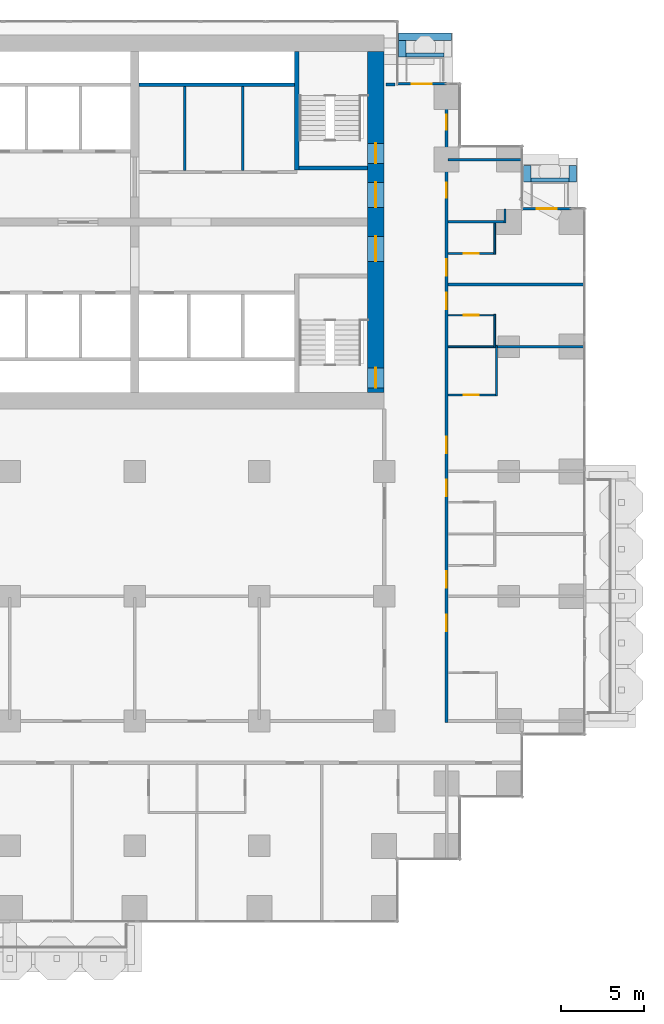
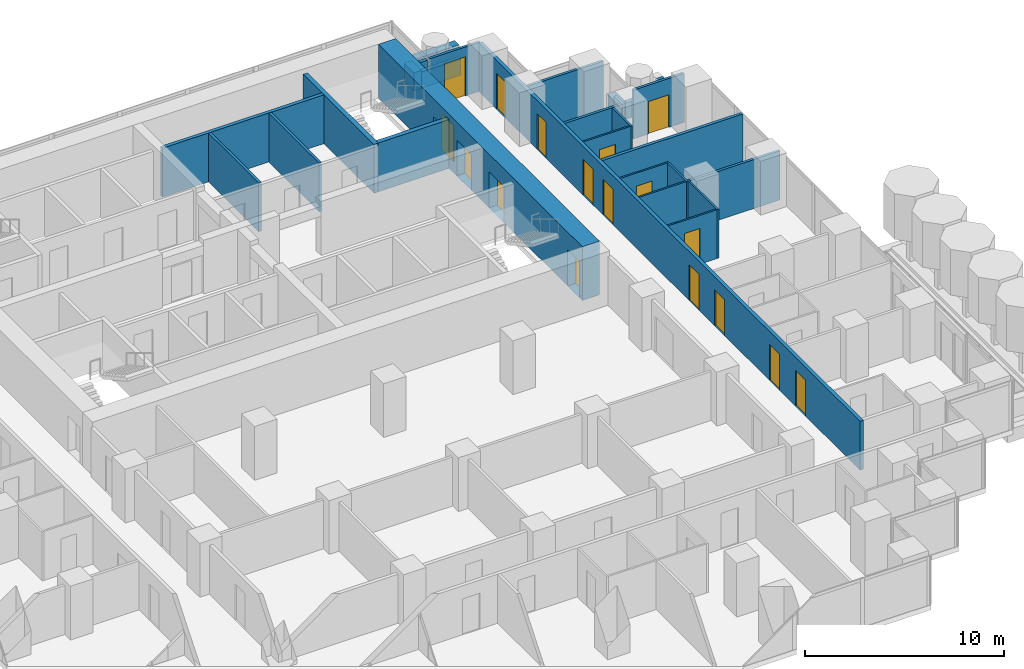
# One storey, part 14 of 18: 28 walls, 17 doors, 17 openings.
"""IFC4 building model written with IfcOpenShell, lengths in metres."""

from ifc_helpers import new_model, si_unit, direction, frame, frame_2d, origin, place, context, subcontext, project, spatial, rectangle, extrude, material, layer, layer_set, type_object, element, fill, save


model = new_model("IFC4")

# Units and contexts
model_context = context("Model", 3, precision=1e-05, world=origin(), true_north=direction((0.0, 1.0)))
body_context = subcontext(model_context, "Body", "Model", "MODEL_VIEW")
ifc_project = project(units=[si_unit("LENGTHUNIT", "METRE"), si_unit("AREAUNIT", "SQUARE_METRE"), si_unit("VOLUMEUNIT", "CUBIC_METRE"), si_unit("PLANEANGLEUNIT", "RADIAN"), si_unit("MASSUNIT", "GRAM", prefix="KILO")], contexts=[model_context])

# Site, building, storey
site_placement = place(None, origin())
site = spatial("IfcSite", under=ifc_project, at=site_placement, CompositionType="ELEMENT")
building_placement = place(site_placement, origin())
building = spatial("IfcBuilding", under=site, at=building_placement, Name="Pilkhan Gate Tower", CompositionType="ELEMENT")
storey_placement = place(building_placement, frame((0.0, 0.0, 56.0)))
storey = spatial("IfcBuildingStorey", under=building, at=storey_placement, Name="L11", CompositionType="ELEMENT", Elevation=56.0)

# Walls
ifc_material_1 = material(Name="Dense blockwork", Category="masonry")
ifc_layer_1 = layer(ifc_material_1, 0.175048828125)
ifc_layer_set_1 = layer_set([ifc_layer_1], Name="Acoustic party wall PW175")
wall_type_1 = type_object("IfcWallType", Name="Acoustic party wall PW175", PredefinedType="PARTITIONING", material=ifc_layer_set_1)
wall_1_placement = place(storey_placement, frame((93.85009765625, 78.75, 0.0), z_axis=(0.0, 0.0, 1.0), x_axis=(1.0, 0.0, 0.0)))
element("IfcWall", 1, at=wall_1_placement, inside=storey, type_object=wall_type_1, Name="Partition L11", PredefinedType="PARTITIONING", context=body_context, shape_type="SweptSolid", body=[
    extrude(rectangle(XDim=8.164794921875, YDim=0.175048828125, at=frame_2d((4.08251953125, 0.0))), origin(), (0.0, 0.0, 1.0), 3.0),
])
ifc_material_2 = material(Name="Concrete C40/50", Category="concrete")
ifc_layer_2 = layer(ifc_material_2, 0.25)
ifc_layer_set_2 = layer_set([ifc_layer_2], Name="Balcony planter BP250")
wall_type_2 = type_object("IfcWallType", Name="Balcony planter BP250", PredefinedType="USERDEFINED", material=ifc_layer_set_2)
wall_2_placement = place(storey_placement, frame((91.300048828125, 92.52490234375, 0.0), z_axis=(0.0, 0.0, 1.0), x_axis=(1.0, 0.0, 0.0)))
element("IfcWall", 2, at=wall_2_placement, inside=storey, type_object=wall_type_2, Name="Balcony planter L11 N", ObjectType="BALCONY PLANTER", PredefinedType="USERDEFINED", context=body_context, shape_type="SweptSolid", body=[
    extrude(rectangle(XDim=2.300048828125, YDim=0.25, at=frame_2d((1.14990234375, 0.0))), origin(), (0.0, 0.0, 1.0), 1.0),
])
wall_3_placement = place(storey_placement, frame((98.820068359375, 85.02490234375, 0.0), z_axis=(0.0, 0.0, 1.0), x_axis=(1.0, 0.0, 0.0)))
element("IfcWall", 3, at=wall_3_placement, inside=storey, type_object=wall_type_2, Name="Balcony planter L11 N", ObjectType="BALCONY PLANTER", PredefinedType="USERDEFINED", context=body_context, shape_type="SweptSolid", body=[
    extrude(rectangle(XDim=2.280029296875, YDim=0.25, at=frame_2d((1.14013671875, 0.0))), origin(), (0.0, 0.0, 1.0), 1.0),
])
ifc_material_3 = material(Name="Board-marked Concrete C40/50", Category="concrete")
ifc_layer_3 = layer(ifc_material_3, 0.449951171875)
ifc_layer_set_3 = layer_set([ifc_layer_3], Name="Balcony planter lip BL450")
wall_type_3 = type_object("IfcWallType", Name="Balcony planter lip BL450", PredefinedType="USERDEFINED", material=ifc_layer_set_3)
wall_4_placement = place(storey_placement, frame((90.85009765625, 93.625, 0.0), z_axis=(0.0, 0.0, 1.0), x_axis=(1.0, 0.0, 0.0)))
element("IfcWall", 4, at=wall_4_placement, inside=storey, type_object=wall_type_3, Name="Balcony planter L11 N", ObjectType="BALCONY PLANTER", PredefinedType="USERDEFINED", context=body_context, shape_type="SweptSolid", body=[
    extrude(rectangle(XDim=3.199951171875, YDim=0.449951171875, at=frame_2d((1.60009765625, 0.0))), origin(), (0.0, 0.0, 1.0), 1.10009765625),
])
for number, where, z_axis, x_axis, name in (
    (5, (91.074951171875, 92.39990234375, 0.0), (0.0, 0.0, 1.0), (0.0, 1.0, 0.0), "Balcony planter L11 N"),
    (6, (98.594970703125, 84.89990234375, 0.0), (0.0, 0.0, 1.0), (0.0, 1.0, 0.0), "Balcony planter L11 N"),
    (7, (101.324951171875, 84.89990234375, 0.0), (0.0, 0.0, 1.0), (0.0, 1.0, 0.0), "Balcony planter L11 N"),
):
    element("IfcWall", number, at=place(storey_placement, frame(where, z_axis=z_axis, x_axis=x_axis)), inside=storey, type_object=wall_type_3, Name=name, ObjectType="BALCONY PLANTER", PredefinedType="USERDEFINED", context=body_context, shape_type="SweptSolid", body=[
        extrude(rectangle(XDim=1.0, YDim=0.449951171875, at=frame_2d((0.5, 0.0))), origin(), (0.0, 0.0, 1.0), 1.10009765625),
    ])

# Wall, openings, doors
ifc_material_4 = material(Name="Concrete C70/85", Category="concrete")
ifc_layer_4 = layer(ifc_material_4, 1.0)
ifc_layer_set_4 = layer_set([ifc_layer_4], Name="Core wall CW1000 C70/85")
wall_type_4 = type_object("IfcWallType", Name="Core wall CW1000 C70/85", PredefinedType="SHEAR", material=ifc_layer_set_4)
wall_5_placement = place(storey_placement, frame((89.5, 72.25, 0.0), z_axis=(0.0, 0.0, 1.0), x_axis=(0.0, 1.0, 0.0)))
wall_5 = element("IfcWall", 8, at=wall_5_placement, inside=storey, type_object=wall_type_4, Name="Core wall E L11", PredefinedType="SHEAR", context=body_context, shape_type="SweptSolid", body=[
    extrude(rectangle(XDim=20.5, YDim=1.0, at=frame_2d((10.25, 0.0))), origin(), (0.0, 0.0, 1.0), 3.300048828125),
])
opening_1_placement = place(wall_5_placement, frame((0.27490234375, 0.0, 0.0)))
opening_1 = element("IfcOpeningElement", 9, at=opening_1_placement, cuts=wall_5, Name="Opening L11-03", PredefinedType="OPENING", context=body_context, shape_type="SweptSolid", body=[
    extrude(rectangle(XDim=1.199951171875, YDim=2.199951171875, at=frame_2d((0.60009765625, 1.10009765625))), frame((0.0, 0.510009765625, 0.0), z_axis=(0.0, -1.0, 0.0), x_axis=(1.0, 0.0, 0.0)), (0.0, 0.0, 1.0), 1.02001953125),
])
opening_2_placement = place(wall_5_placement, frame((13.77490234375, 0.0, 0.0)))
opening_2 = element("IfcOpeningElement", 10, at=opening_2_placement, cuts=wall_5, Name="Opening L11-05", PredefinedType="OPENING", context=body_context, shape_type="SweptSolid", body=[
    extrude(rectangle(XDim=1.199951171875, YDim=2.199951171875, at=frame_2d((0.60009765625, 1.10009765625))), frame((0.0, 0.510009765625, 0.0), z_axis=(0.0, -1.0, 0.0), x_axis=(1.0, 0.0, 0.0)), (0.0, 0.0, 1.0), 1.02001953125),
])
opening_3_placement = place(wall_5_placement, frame((7.875, 0.0, 0.0)))
opening_3 = element("IfcOpeningElement", 11, at=opening_3_placement, cuts=wall_5, Name="Opening L11-38", PredefinedType="OPENING", context=body_context, shape_type="SweptSolid", body=[
    extrude(rectangle(XDim=1.5, YDim=2.199951171875, at=frame_2d((0.75, 1.10009765625))), frame((0.0, 0.510009765625, 0.0), z_axis=(0.0, -1.0, 0.0), x_axis=(1.0, 0.0, 0.0)), (0.0, 0.0, 1.0), 1.02001953125),
])
opening_4_placement = place(wall_5_placement, frame((11.125, 0.0, 0.0)))
opening_4 = element("IfcOpeningElement", 12, at=opening_4_placement, cuts=wall_5, Name="Opening L11-40", PredefinedType="OPENING", context=body_context, shape_type="SweptSolid", body=[
    extrude(rectangle(XDim=1.5, YDim=2.199951171875, at=frame_2d((0.75, 1.10009765625))), frame((0.0, 0.510009765625, 0.0), z_axis=(0.0, -1.0, 0.0), x_axis=(1.0, 0.0, 0.0)), (0.0, 0.0, 1.0), 1.02001953125),
])
ifc_material_5 = material(Name="Steel framed glazed door, 60 minute fire resisting", Category="steel")
door_type_1 = type_object("IfcDoorType", Name="Lobby door D09 1500x2200", OperationType="DOUBLE_DOOR_SINGLE_SWING", PredefinedType="DOOR", material=ifc_material_5)
door_1_placement = place(opening_3_placement, origin())
door_1 = element("IfcDoor", 13, at=door_1_placement, inside=storey, type_object=door_type_1, Name="Core door", OperationType="DOUBLE_DOOR_SINGLE_SWING", OverallHeight=2.199951171875, OverallWidth=1.5, PredefinedType="DOOR", context=body_context, shape_type="SweptSolid", body=[
    extrude(rectangle(XDim=1.5, YDim=2.199951171875, at=frame_2d((0.75, 1.10009765625))), frame((0.0, 0.02490234375, 0.0), z_axis=(0.0, -1.0, 0.0), x_axis=(1.0, 0.0, 0.0)), (0.0, 0.0, 1.0), 0.050048828125),
])
fill(opening_3, door_1)
door_2_placement = place(opening_4_placement, origin())
door_2 = element("IfcDoor", 14, at=door_2_placement, inside=storey, type_object=door_type_1, Name="Core door", OperationType="DOUBLE_DOOR_SINGLE_SWING", OverallHeight=2.199951171875, OverallWidth=1.5, PredefinedType="DOOR", context=body_context, shape_type="SweptSolid", body=[
    extrude(rectangle(XDim=1.5, YDim=2.199951171875, at=frame_2d((0.75, 1.10009765625))), frame((0.0, 0.02490234375, 0.0), z_axis=(0.0, -1.0, 0.0), x_axis=(1.0, 0.0, 0.0)), (0.0, 0.0, 1.0), 0.050048828125),
])
fill(opening_4, door_2)
ifc_material_6 = material(Name="Steel door, 120 minute fire resisting, panic bar", Category="steel")
door_type_2 = type_object("IfcDoorType", Name="Stair door D11 1200x2200", OperationType="SINGLE_SWING_LEFT", PredefinedType="DOOR", material=ifc_material_6)
door_3_placement = place(opening_1_placement, origin())
door_3 = element("IfcDoor", 15, at=door_3_placement, inside=storey, type_object=door_type_2, Name="Stair ST1 door", OperationType="SINGLE_SWING_LEFT", OverallHeight=2.199951171875, OverallWidth=1.199951171875, PredefinedType="DOOR", context=body_context, shape_type="SweptSolid", body=[
    extrude(rectangle(XDim=1.199951171875, YDim=2.199951171875, at=frame_2d((0.60009765625, 1.10009765625))), frame((0.0, 0.02490234375, 0.0), z_axis=(0.0, -1.0, 0.0), x_axis=(1.0, 0.0, 0.0)), (0.0, 0.0, 1.0), 0.050048828125),
])
fill(opening_1, door_3)
door_4_placement = place(opening_2_placement, origin())
door_4 = element("IfcDoor", 16, at=door_4_placement, inside=storey, type_object=door_type_2, Name="Stair ST4 door", OperationType="SINGLE_SWING_LEFT", OverallHeight=2.199951171875, OverallWidth=1.199951171875, PredefinedType="DOOR", context=body_context, shape_type="SweptSolid", body=[
    extrude(rectangle(XDim=1.199951171875, YDim=2.199951171875, at=frame_2d((0.60009765625, 1.10009765625))), frame((0.0, 0.02490234375, 0.0), z_axis=(0.0, -1.0, 0.0), x_axis=(1.0, 0.0, 0.0)), (0.0, 0.0, 1.0), 0.050048828125),
])
fill(opening_2, door_4)

# Wall
ifc_layer_5 = layer(ifc_material_1, 0.199951171875)
ifc_layer_set_5 = layer_set([ifc_layer_5], Name="Corridor wall FW200")
wall_type_5 = type_object("IfcWallType", Name="Corridor wall FW200", PredefinedType="PARTITIONING", material=ifc_layer_set_5)
wall_6_placement = place(storey_placement, frame((90.1201171875, 90.764892578125, 0.0), z_axis=(0.0, 0.0, 1.0), x_axis=(1.0, 0.0, 0.0)))
element("IfcWall", 17, at=wall_6_placement, inside=storey, type_object=wall_type_5, Name="Partition L11", PredefinedType="PARTITIONING", context=body_context, shape_type="SweptSolid", body=[
    extrude(rectangle(XDim=0.52490234375, YDim=0.199951171875, at=frame_2d((0.262451171875, 0.0))), origin(), (0.0, 0.0, 1.0), 3.0),
])

# Wall, openings, doors
wall_7_placement = place(storey_placement, frame((93.75, 52.39990234375, 0.0), z_axis=(0.0, 0.0, 1.0), x_axis=(0.0, 1.0, 0.0)))
wall_7 = element("IfcWall", 18, at=wall_7_placement, inside=storey, type_object=wall_type_5, Name="Partition L11", PredefinedType="PARTITIONING", context=body_context, shape_type="SweptSolid", body=[
    extrude(rectangle(XDim=38.31005859375, YDim=0.199951171875, at=frame_2d((19.155029296875, 0.0))), origin(), (0.0, 0.0, 1.0), 3.0),
])
opening_5_placement = place(wall_7_placement, frame((5.5, 0.0, 0.0)))
opening_5 = element("IfcOpeningElement", 19, at=opening_5_placement, cuts=wall_7, Name="Opening L11-26", PredefinedType="OPENING", context=body_context, shape_type="SweptSolid", body=[
    extrude(rectangle(XDim=1.0, YDim=2.199951171875, at=frame_2d((0.5, 1.10009765625))), frame((0.0, 0.10986328125, 0.0), z_axis=(0.0, -1.0, 0.0), x_axis=(1.0, 0.0, 0.0)), (0.0, 0.0, 1.0), 0.219970703125),
])
opening_6_placement = place(wall_7_placement, frame((8.10009765625, 0.0, 0.0)))
opening_6 = element("IfcOpeningElement", 20, at=opening_6_placement, cuts=wall_7, Name="Opening L11-28", PredefinedType="OPENING", context=body_context, shape_type="SweptSolid", body=[
    extrude(rectangle(XDim=1.0, YDim=2.199951171875, at=frame_2d((0.5, 1.10009765625))), frame((0.0, 0.10986328125, 0.0), z_axis=(0.0, -1.0, 0.0), x_axis=(1.0, 0.0, 0.0)), (0.0, 0.0, 1.0), 0.219970703125),
])
opening_7_placement = place(wall_7_placement, frame((13.60009765625, 0.0, 0.0)))
opening_7 = element("IfcOpeningElement", 21, at=opening_7_placement, cuts=wall_7, Name="Opening L11-30", PredefinedType="OPENING", context=body_context, shape_type="SweptSolid", body=[
    extrude(rectangle(XDim=1.0, YDim=2.199951171875, at=frame_2d((0.5, 1.10009765625))), frame((0.0, 0.10986328125, 0.0), z_axis=(0.0, -1.0, 0.0), x_axis=(1.0, 0.0, 0.0)), (0.0, 0.0, 1.0), 0.219970703125),
])
opening_8_placement = place(wall_7_placement, frame((16.199951171875, 0.0, 0.0)))
opening_8 = element("IfcOpeningElement", 22, at=opening_8_placement, cuts=wall_7, Name="Opening L11-32", PredefinedType="OPENING", context=body_context, shape_type="SweptSolid", body=[
    extrude(rectangle(XDim=1.0, YDim=2.199951171875, at=frame_2d((0.5, 1.10009765625))), frame((0.0, 0.10986328125, 0.0), z_axis=(0.0, -1.0, 0.0), x_axis=(1.0, 0.0, 0.0)), (0.0, 0.0, 1.0), 0.219970703125),
])
opening_9_placement = place(wall_7_placement, frame((24.85009765625, 0.0, 0.0)))
opening_9 = element("IfcOpeningElement", 23, at=opening_9_placement, cuts=wall_7, Name="Opening L11-34", PredefinedType="OPENING", context=body_context, shape_type="SweptSolid", body=[
    extrude(rectangle(XDim=1.0, YDim=2.199951171875, at=frame_2d((0.5, 1.10009765625))), frame((0.0, 0.10986328125, 0.0), z_axis=(0.0, -1.0, 0.0), x_axis=(1.0, 0.0, 0.0)), (0.0, 0.0, 1.0), 0.219970703125),
])
opening_10_placement = place(wall_7_placement, frame((26.85009765625, 0.0, 0.0)))
opening_10 = element("IfcOpeningElement", 24, at=opening_10_placement, cuts=wall_7, Name="Opening L11-36", PredefinedType="OPENING", context=body_context, shape_type="SweptSolid", body=[
    extrude(rectangle(XDim=1.0, YDim=2.199951171875, at=frame_2d((0.5, 1.10009765625))), frame((0.0, 0.10986328125, 0.0), z_axis=(0.0, -1.0, 0.0), x_axis=(1.0, 0.0, 0.0)), (0.0, 0.0, 1.0), 0.219970703125),
])
opening_11_placement = place(wall_7_placement, frame((31.550048828125, 0.0, 0.0)))
opening_11 = element("IfcOpeningElement", 25, at=opening_11_placement, cuts=wall_7, Name="Opening L11-46", PredefinedType="OPENING", context=body_context, shape_type="SweptSolid", body=[
    extrude(rectangle(XDim=0.89990234375, YDim=2.199951171875, at=frame_2d((0.449951171875, 1.10009765625))), frame((0.0, 0.10986328125, 0.0), z_axis=(0.0, -1.0, 0.0), x_axis=(1.0, 0.0, 0.0)), (0.0, 0.0, 1.0), 0.219970703125),
])
opening_12_placement = place(wall_7_placement, frame((35.64990234375, 0.0, 0.0)))
opening_12 = element("IfcOpeningElement", 26, at=opening_12_placement, cuts=wall_7, Name="Opening L11-47", PredefinedType="OPENING", context=body_context, shape_type="SweptSolid", body=[
    extrude(rectangle(XDim=0.89990234375, YDim=2.199951171875, at=frame_2d((0.449951171875, 1.10009765625))), frame((0.0, 0.10986328125, 0.0), z_axis=(0.0, -1.0, 0.0), x_axis=(1.0, 0.0, 0.0)), (0.0, 0.0, 1.0), 0.219970703125),
])
ifc_material_7 = material(Name="Timber flush door, 30 minute fire resisting", Category="wood")
door_type_3 = type_object("IfcDoorType", Name="Guest room door D01 1000x2200", OperationType="SINGLE_SWING_LEFT", PredefinedType="DOOR", material=ifc_material_7)
door_5_placement = place(opening_5_placement, origin())
door_5 = element("IfcDoor", 27, at=door_5_placement, inside=storey, type_object=door_type_3, Name="Guest room door", OperationType="SINGLE_SWING_LEFT", OverallHeight=2.199951171875, OverallWidth=1.0, PredefinedType="DOOR", context=body_context, shape_type="SweptSolid", body=[
    extrude(rectangle(XDim=1.0, YDim=2.199951171875, at=frame_2d((0.5, 1.10009765625))), frame((0.0, 0.02490234375, 0.0), z_axis=(0.0, -1.0, 0.0), x_axis=(1.0, 0.0, 0.0)), (0.0, 0.0, 1.0), 0.050048828125),
])
fill(opening_5, door_5)
door_6_placement = place(opening_6_placement, origin())
door_6 = element("IfcDoor", 28, at=door_6_placement, inside=storey, type_object=door_type_3, Name="Guest room door", OperationType="SINGLE_SWING_RIGHT", OverallHeight=2.199951171875, OverallWidth=1.0, PredefinedType="DOOR", context=body_context, shape_type="SweptSolid", body=[
    extrude(rectangle(XDim=1.0, YDim=2.199951171875, at=frame_2d((0.5, 1.10009765625))), frame((0.0, 0.02490234375, 0.0), z_axis=(0.0, -1.0, 0.0), x_axis=(1.0, 0.0, 0.0)), (0.0, 0.0, 1.0), 0.050048828125),
])
fill(opening_6, door_6)
door_7_placement = place(opening_7_placement, origin())
door_7 = element("IfcDoor", 29, at=door_7_placement, inside=storey, type_object=door_type_3, Name="Guest room door", OperationType="SINGLE_SWING_LEFT", OverallHeight=2.199951171875, OverallWidth=1.0, PredefinedType="DOOR", context=body_context, shape_type="SweptSolid", body=[
    extrude(rectangle(XDim=1.0, YDim=2.199951171875, at=frame_2d((0.5, 1.10009765625))), frame((0.0, 0.02490234375, 0.0), z_axis=(0.0, -1.0, 0.0), x_axis=(1.0, 0.0, 0.0)), (0.0, 0.0, 1.0), 0.050048828125),
])
fill(opening_7, door_7)
door_8_placement = place(opening_8_placement, origin())
door_8 = element("IfcDoor", 30, at=door_8_placement, inside=storey, type_object=door_type_3, Name="Guest room door", OperationType="SINGLE_SWING_LEFT", OverallHeight=2.199951171875, OverallWidth=1.0, PredefinedType="DOOR", context=body_context, shape_type="SweptSolid", body=[
    extrude(rectangle(XDim=1.0, YDim=2.199951171875, at=frame_2d((0.5, 1.10009765625))), frame((0.0, 0.02490234375, 0.0), z_axis=(0.0, -1.0, 0.0), x_axis=(1.0, 0.0, 0.0)), (0.0, 0.0, 1.0), 0.050048828125),
])
fill(opening_8, door_8)
door_9_placement = place(opening_9_placement, origin())
door_9 = element("IfcDoor", 31, at=door_9_placement, inside=storey, type_object=door_type_3, Name="Guest room door", OperationType="SINGLE_SWING_LEFT", OverallHeight=2.199951171875, OverallWidth=1.0, PredefinedType="DOOR", context=body_context, shape_type="SweptSolid", body=[
    extrude(rectangle(XDim=1.0, YDim=2.199951171875, at=frame_2d((0.5, 1.10009765625))), frame((0.0, 0.02490234375, 0.0), z_axis=(0.0, -1.0, 0.0), x_axis=(1.0, 0.0, 0.0)), (0.0, 0.0, 1.0), 0.050048828125),
])
fill(opening_9, door_9)
door_10_placement = place(opening_10_placement, origin())
door_10 = element("IfcDoor", 32, at=door_10_placement, inside=storey, type_object=door_type_3, Name="Guest room door", OperationType="SINGLE_SWING_RIGHT", OverallHeight=2.199951171875, OverallWidth=1.0, PredefinedType="DOOR", context=body_context, shape_type="SweptSolid", body=[
    extrude(rectangle(XDim=1.0, YDim=2.199951171875, at=frame_2d((0.5, 1.10009765625))), frame((0.0, 0.02490234375, 0.0), z_axis=(0.0, -1.0, 0.0), x_axis=(1.0, 0.0, 0.0)), (0.0, 0.0, 1.0), 0.050048828125),
])
fill(opening_10, door_10)
ifc_material_8 = material(Name="Timber flush door, 60 minute fire resisting, self-closing", Category="wood")
door_type_4 = type_object("IfcDoorType", Name="Store door D05 900x2200", OperationType="SINGLE_SWING_LEFT", PredefinedType="DOOR", material=ifc_material_8)
door_11_placement = place(opening_11_placement, origin())
door_11 = element("IfcDoor", 33, at=door_11_placement, inside=storey, type_object=door_type_4, Name="Store door", OperationType="SINGLE_SWING_LEFT", OverallHeight=2.199951171875, OverallWidth=0.89990234375, PredefinedType="DOOR", context=body_context, shape_type="SweptSolid", body=[
    extrude(rectangle(XDim=0.89990234375, YDim=2.199951171875, at=frame_2d((0.449951171875, 1.10009765625))), frame((0.0, 0.02490234375, 0.0), z_axis=(0.0, -1.0, 0.0), x_axis=(1.0, 0.0, 0.0)), (0.0, 0.0, 1.0), 0.050048828125),
])
fill(opening_11, door_11)
door_12_placement = place(opening_12_placement, origin())
door_12 = element("IfcDoor", 34, at=door_12_placement, inside=storey, type_object=door_type_4, Name="Store door", OperationType="SINGLE_SWING_RIGHT", OverallHeight=2.199951171875, OverallWidth=0.89990234375, PredefinedType="DOOR", context=body_context, shape_type="SweptSolid", body=[
    extrude(rectangle(XDim=0.89990234375, YDim=2.199951171875, at=frame_2d((0.449951171875, 1.10009765625))), frame((0.0, 0.02490234375, 0.0), z_axis=(0.0, -1.0, 0.0), x_axis=(1.0, 0.0, 0.0)), (0.0, 0.0, 1.0), 0.050048828125),
])
fill(opening_12, door_12)

# Wall, opening, door
ifc_material_9 = material(Name="Pale anodised aluminium, clear laminated glazing", Category="aluminium")
ifc_layer_6 = layer(ifc_material_9, 0.14990234375)
ifc_layer_set_6 = layer_set([ifc_layer_6], Name="Facade infill wall IW150")
wall_type_6 = type_object("IfcWallType", Name="Facade infill wall IW150", PredefinedType="SOLIDWALL", material=ifc_layer_set_6)
wall_8_placement = place(storey_placement, frame((98.294921875, 83.294921875, 0.0), z_axis=(0.0, 0.0, 1.0), x_axis=(1.0, 0.0, 0.0)))
wall_8 = element("IfcWall", 35, at=wall_8_placement, inside=storey, type_object=wall_type_6, Name="Infill wall L11 N", PredefinedType="SOLIDWALL", context=body_context, shape_type="SweptSolid", body=[
    extrude(rectangle(XDim=2.955078125, YDim=0.14990234375, at=frame_2d((1.4775390625, 0.0))), origin(), (0.0, 0.0, 1.0), 3.0),
])
opening_13_placement = place(wall_8_placement, frame((0.87744140625, 0.0, 0.0)))
opening_13 = element("IfcOpeningElement", 36, at=opening_13_placement, cuts=wall_8, Name="Opening D1L", PredefinedType="OPENING", context=body_context, shape_type="SweptSolid", body=[
    extrude(rectangle(XDim=1.199951171875, YDim=2.0, at=frame_2d((0.60009765625, 1.0))), frame((0.0, 0.0849609375, 0.0), z_axis=(0.0, -1.0, 0.0), x_axis=(1.0, 0.0, 0.0)), (0.0, 0.0, 1.0), 0.169921875),
])
ifc_material_10 = material(Name="Pale anodised aluminium, clear glazing", Category="aluminium")
door_type_5 = type_object("IfcDoorType", Name="Balcony door D1L 1200x2000", OperationType="SINGLE_SWING_LEFT", PredefinedType="DOOR", material=ifc_material_10)
door_13_placement = place(opening_13_placement, origin())
door_13 = element("IfcDoor", 37, at=door_13_placement, inside=storey, type_object=door_type_5, Name="Balcony door L11", OperationType="SINGLE_SWING_LEFT", OverallHeight=2.0, OverallWidth=1.199951171875, PredefinedType="DOOR", context=body_context, shape_type="SweptSolid", body=[
    extrude(rectangle(XDim=1.199951171875, YDim=2.0, at=frame_2d((0.60009765625, 1.0))), frame((0.0, 0.02490234375, 0.0), z_axis=(0.0, -1.0, 0.0), x_axis=(1.0, 0.0, 0.0)), (0.0, 0.0, 1.0), 0.050048828125),
])
fill(opening_13, door_13)

wall_9_placement = place(storey_placement, frame((90.794921875, 90.794921875, 0.0), z_axis=(0.0, 0.0, 1.0), x_axis=(1.0, 0.0, 0.0)))
wall_9 = element("IfcWall", 38, at=wall_9_placement, inside=storey, type_object=wall_type_6, Name="Infill wall L11 N", PredefinedType="SOLIDWALL", context=body_context, shape_type="SweptSolid", body=[
    extrude(rectangle(XDim=2.955078125, YDim=0.14990234375, at=frame_2d((1.4775390625, 0.0))), origin(), (0.0, 0.0, 1.0), 3.0),
])
opening_14_placement = place(wall_9_placement, frame((0.87744140625, 0.0, 0.0)))
opening_14 = element("IfcOpeningElement", 39, at=opening_14_placement, cuts=wall_9, Name="Opening D1", PredefinedType="OPENING", context=body_context, shape_type="SweptSolid", body=[
    extrude(rectangle(XDim=1.199951171875, YDim=2.39990234375, at=frame_2d((0.60009765625, 1.199951171875))), frame((0.0, 0.0849609375, 0.0), z_axis=(0.0, -1.0, 0.0), x_axis=(1.0, 0.0, 0.0)), (0.0, 0.0, 1.0), 0.169921875),
])
door_type_6 = type_object("IfcDoorType", Name="Balcony door D1 1200x2400", OperationType="SINGLE_SWING_LEFT", PredefinedType="DOOR", material=ifc_material_10)
door_14_placement = place(opening_14_placement, origin())
door_14 = element("IfcDoor", 40, at=door_14_placement, inside=storey, type_object=door_type_6, Name="Balcony door L11", OperationType="SINGLE_SWING_LEFT", OverallHeight=2.39990234375, OverallWidth=1.199951171875, PredefinedType="DOOR", context=body_context, shape_type="SweptSolid", body=[
    extrude(rectangle(XDim=1.199951171875, YDim=2.39990234375, at=frame_2d((0.60009765625, 1.199951171875))), frame((0.0, 0.02490234375, 0.0), z_axis=(0.0, -1.0, 0.0), x_axis=(1.0, 0.0, 0.0)), (0.0, 0.0, 1.0), 0.050048828125),
])
fill(opening_14, door_14)

# Walls
ifc_layer_7 = layer(ifc_material_1, 0.199951171875)
ifc_layer_set_7 = layer_set([ifc_layer_7], Name="Lobby wall LW200")
wall_type_7 = type_object("IfcWallType", Name="Lobby wall LW200", PredefinedType="PARTITIONING", material=ifc_layer_set_7)
wall_10_placement = place(storey_placement, frame((75.260009765625, 90.75, 0.0), z_axis=(0.0, 0.0, 1.0), x_axis=(1.0, 0.0, 0.0)))
element("IfcWall", 41, at=wall_10_placement, inside=storey, type_object=wall_type_7, Name="Partition L11", PredefinedType="PARTITIONING", context=body_context, shape_type="SweptSolid", body=[
    extrude(rectangle(XDim=9.364990234375, YDim=0.199951171875, at=frame_2d((4.6826171875, 0.0))), origin(), (0.0, 0.0, 1.0), 3.0),
])
ifc_material_11 = material(Name="Blockwork partition, plastered both sides", Category="masonry")
ifc_layer_8 = layer(ifc_material_11, 0.14990234375)
ifc_layer_set_8 = layer_set([ifc_layer_8], Name="Partition PW150")
wall_type_8 = type_object("IfcWallType", Name="Partition PW150", PredefinedType="PARTITIONING", material=ifc_layer_set_8)
wall_11_placement = place(storey_placement, frame((96.800048828125, 75.0, 0.0), z_axis=(0.0, 0.0, 1.0), x_axis=(1.0, 0.0, 0.0)))
element("IfcWall", 42, at=wall_11_placement, inside=storey, type_object=wall_type_8, Name="Partition L11", PredefinedType="PARTITIONING", context=body_context, shape_type="SweptSolid", body=[
    extrude(rectangle(XDim=5.21484375, YDim=0.14990234375, at=frame_2d((2.607421875, 0.0))), origin(), (0.0, 0.0, 1.0), 3.0),
])
wall_12_placement = place(storey_placement, frame((93.85009765625, 82.5, 0.0), z_axis=(0.0, 0.0, 1.0), x_axis=(1.0, 0.0, 0.0)))
element("IfcWall", 43, at=wall_12_placement, inside=storey, type_object=wall_type_8, Name="Partition L11", PredefinedType="PARTITIONING", context=body_context, shape_type="SweptSolid", body=[
    extrude(rectangle(XDim=3.33984375, YDim=0.14990234375, at=frame_2d((1.669921875, 0.0))), origin(), (0.0, 0.0, 1.0), 3.0),
])
wall_13_placement = place(storey_placement, frame((93.85009765625, 86.25, 0.0), z_axis=(0.0, 0.0, 1.0), x_axis=(1.0, 0.0, 0.0)))
element("IfcWall", 44, at=wall_13_placement, inside=storey, type_object=wall_type_8, Name="Partition L11", PredefinedType="PARTITIONING", context=body_context, shape_type="SweptSolid", body=[
    extrude(rectangle(XDim=4.414794921875, YDim=0.14990234375, at=frame_2d((2.20751953125, 0.0))), origin(), (0.0, 0.0, 1.0), 3.0),
])
for number, where, z_axis, x_axis, name in (
    (45, (78.0, 85.60009765625, 0.0), (0.0, 0.0, 1.0), (0.0, 1.0, 0.0), "Partition L11"),
    (46, (81.5, 85.60009765625, 0.0), (0.0, 0.0, 1.0), (0.0, 1.0, 0.0), "Partition L11"),
):
    element("IfcWall", number, at=place(storey_placement, frame(where, z_axis=z_axis, x_axis=x_axis)), inside=storey, type_object=wall_type_8, Name=name, PredefinedType="PARTITIONING", context=body_context, shape_type="SweptSolid", body=[
        extrude(rectangle(XDim=5.0498046875, YDim=0.14990234375, at=frame_2d((2.52490234375, 0.0))), origin(), (0.0, 0.0, 1.0), 3.0),
    ])
wall_14_placement = place(storey_placement, frame((97.264892578125, 82.425048828125, 0.0), z_axis=(0.0, 0.0, 1.0), x_axis=(0.0, 1.0, 0.0)))
element("IfcWall", 47, at=wall_14_placement, inside=storey, type_object=wall_type_8, Name="Partition L11", PredefinedType="PARTITIONING", context=body_context, shape_type="SweptSolid", body=[
    extrude(rectangle(XDim=0.83984375, YDim=0.14990234375, at=frame_2d((0.419921875, 0.0))), origin(), (0.0, 0.0, 1.0), 3.0),
])
ifc_material_12 = material(Name="Reinforced blockwork, 120 minute fire resisting", Category="masonry")
ifc_layer_9 = layer(ifc_material_12, 0.25)
ifc_layer_set_9 = layer_set([ifc_layer_9], Name="Stair enclosure wall SE250")
wall_type_9 = type_object("IfcWallType", Name="Stair enclosure wall SE250", PredefinedType="PARTITIONING", material=ifc_layer_set_9)
wall_15_placement = place(storey_placement, frame((84.875, 85.75, 0.0), z_axis=(0.0, 0.0, 1.0), x_axis=(1.0, 0.0, 0.0)))
element("IfcWall", 48, at=wall_15_placement, inside=storey, type_object=wall_type_9, Name="Partition L11", PredefinedType="PARTITIONING", context=body_context, shape_type="SweptSolid", body=[
    extrude(rectangle(XDim=4.114990234375, YDim=0.25, at=frame_2d((2.0576171875, 0.0))), origin(), (0.0, 0.0, 1.0), 3.0),
])
wall_16_placement = place(storey_placement, frame((84.75, 85.625, 0.0), z_axis=(0.0, 0.0, 1.0), x_axis=(0.0, 1.0, 0.0)))
element("IfcWall", 49, at=wall_16_placement, inside=storey, type_object=wall_type_9, Name="Partition L11", PredefinedType="PARTITIONING", context=body_context, shape_type="SweptSolid", body=[
    extrude(rectangle(XDim=7.114990234375, YDim=0.25, at=frame_2d((3.5576171875, 0.0))), origin(), (0.0, 0.0, 1.0), 3.0),
])

# Wall, opening, door
ifc_material_13 = material(Name="Moisture resistant board, tiled")
ifc_layer_10 = layer(ifc_material_13, 0.10009765625)
ifc_layer_set_10 = layer_set([ifc_layer_10], Name="Wet wall PW100")
wall_type_10 = type_object("IfcWallType", Name="Wet wall PW100", PredefinedType="PARTITIONING", material=ifc_layer_set_10)
wall_17_placement = place(storey_placement, frame((93.85009765625, 72.10009765625, 0.0), z_axis=(0.0, 0.0, 1.0), x_axis=(1.0, 0.0, 0.0)))
wall_17 = element("IfcWall", 50, at=wall_17_placement, inside=storey, type_object=wall_type_10, Name="Partition L11", PredefinedType="PARTITIONING", context=body_context, shape_type="SweptSolid", body=[
    extrude(rectangle(XDim=2.849853515625, YDim=0.10009765625, at=frame_2d((1.4248046875, 0.0))), origin(), (0.0, 0.0, 1.0), 3.0),
])
opening_15_placement = place(wall_17_placement, frame((0.949951171875, 0.0, 0.0)))
opening_15 = element("IfcOpeningElement", 51, at=opening_15_placement, cuts=wall_17, Name="Opening L11-33", PredefinedType="OPENING", context=body_context, shape_type="SweptSolid", body=[
    extrude(rectangle(XDim=0.89990234375, YDim=2.199951171875, at=frame_2d((0.449951171875, 1.10009765625))), frame((0.0, 0.06005859375, 0.0), z_axis=(0.0, -1.0, 0.0), x_axis=(1.0, 0.0, 0.0)), (0.0, 0.0, 1.0), 0.1201171875),
])
ifc_material_14 = material(Name="Timber flush door", Category="wood")
door_type_7 = type_object("IfcDoorType", Name="Bathroom door D02 900x2200", OperationType="SINGLE_SWING_RIGHT", PredefinedType="DOOR", material=ifc_material_14)
door_15_placement = place(opening_15_placement, origin())
door_15 = element("IfcDoor", 52, at=door_15_placement, inside=storey, type_object=door_type_7, Name="Bathroom door", OperationType="SINGLE_SWING_RIGHT", OverallHeight=2.199951171875, OverallWidth=0.89990234375, PredefinedType="DOOR", context=body_context, shape_type="SweptSolid", body=[
    extrude(rectangle(XDim=0.89990234375, YDim=2.199951171875, at=frame_2d((0.449951171875, 1.10009765625))), frame((0.0, 0.02490234375, 0.0), z_axis=(0.0, -1.0, 0.0), x_axis=(1.0, 0.0, 0.0)), (0.0, 0.0, 1.0), 0.050048828125),
])
fill(opening_15, door_15)

# Wall
wall_18_placement = place(storey_placement, frame((93.85009765625, 75.0, 0.0), z_axis=(0.0, 0.0, 1.0), x_axis=(1.0, 0.0, 0.0)))
element("IfcWall", 53, at=wall_18_placement, inside=storey, type_object=wall_type_10, Name="Partition L11", PredefinedType="PARTITIONING", context=body_context, shape_type="SweptSolid", body=[
    extrude(rectangle(XDim=2.75, YDim=0.10009765625, at=frame_2d((1.375, 0.0))), origin(), (0.0, 0.0, 1.0), 3.0),
])

# Wall, opening, door
wall_19_placement = place(storey_placement, frame((93.85009765625, 76.89990234375, 0.0), z_axis=(0.0, 0.0, 1.0), x_axis=(1.0, 0.0, 0.0)))
wall_19 = element("IfcWall", 54, at=wall_19_placement, inside=storey, type_object=wall_type_10, Name="Partition L11", PredefinedType="PARTITIONING", context=body_context, shape_type="SweptSolid", body=[
    extrude(rectangle(XDim=2.75, YDim=0.10009765625, at=frame_2d((1.375, 0.0))), origin(), (0.0, 0.0, 1.0), 3.0),
])
opening_16_placement = place(wall_19_placement, frame((0.949951171875, 0.0, 0.0)))
opening_16 = element("IfcOpeningElement", 55, at=opening_16_placement, cuts=wall_19, Name="Opening L11-35", PredefinedType="OPENING", context=body_context, shape_type="SweptSolid", body=[
    extrude(rectangle(XDim=0.89990234375, YDim=2.199951171875, at=frame_2d((0.449951171875, 1.10009765625))), frame((0.0, 0.06005859375, 0.0), z_axis=(0.0, -1.0, 0.0), x_axis=(1.0, 0.0, 0.0)), (0.0, 0.0, 1.0), 0.1201171875),
])
door_16_placement = place(opening_16_placement, origin())
door_16 = element("IfcDoor", 56, at=door_16_placement, inside=storey, type_object=door_type_7, Name="Bathroom door", OperationType="SINGLE_SWING_RIGHT", OverallHeight=2.199951171875, OverallWidth=0.89990234375, PredefinedType="DOOR", context=body_context, shape_type="SweptSolid", body=[
    extrude(rectangle(XDim=0.89990234375, YDim=2.199951171875, at=frame_2d((0.449951171875, 1.10009765625))), frame((0.0, 0.02490234375, 0.0), z_axis=(0.0, -1.0, 0.0), x_axis=(1.0, 0.0, 0.0)), (0.0, 0.0, 1.0), 0.050048828125),
])
fill(opening_16, door_16)

wall_20_placement = place(storey_placement, frame((93.85009765625, 80.60009765625, 0.0), z_axis=(0.0, 0.0, 1.0), x_axis=(1.0, 0.0, 0.0)))
wall_20 = element("IfcWall", 57, at=wall_20_placement, inside=storey, type_object=wall_type_10, Name="Partition L11", PredefinedType="PARTITIONING", context=body_context, shape_type="SweptSolid", body=[
    extrude(rectangle(XDim=2.75, YDim=0.10009765625, at=frame_2d((1.375, 0.0))), origin(), (0.0, 0.0, 1.0), 3.0),
])
opening_17_placement = place(wall_20_placement, frame((0.949951171875, 0.0, 0.0)))
opening_17 = element("IfcOpeningElement", 58, at=opening_17_placement, cuts=wall_20, Name="Opening L11-37", PredefinedType="OPENING", context=body_context, shape_type="SweptSolid", body=[
    extrude(rectangle(XDim=0.89990234375, YDim=2.199951171875, at=frame_2d((0.449951171875, 1.10009765625))), frame((0.0, 0.06005859375, 0.0), z_axis=(0.0, -1.0, 0.0), x_axis=(1.0, 0.0, 0.0)), (0.0, 0.0, 1.0), 0.1201171875),
])
door_17_placement = place(opening_17_placement, origin())
door_17 = element("IfcDoor", 59, at=door_17_placement, inside=storey, type_object=door_type_7, Name="Bathroom door", OperationType="SINGLE_SWING_RIGHT", OverallHeight=2.199951171875, OverallWidth=0.89990234375, PredefinedType="DOOR", context=body_context, shape_type="SweptSolid", body=[
    extrude(rectangle(XDim=0.89990234375, YDim=2.199951171875, at=frame_2d((0.449951171875, 1.10009765625))), frame((0.0, 0.02490234375, 0.0), z_axis=(0.0, -1.0, 0.0), x_axis=(1.0, 0.0, 0.0)), (0.0, 0.0, 1.0), 0.050048828125),
])
fill(opening_17, door_17)

# Walls
wall_21_placement = place(storey_placement, frame((96.64990234375, 74.949951171875, 0.0), z_axis=(0.0, 0.0, 1.0), x_axis=(0.0, 1.0, 0.0)))
element("IfcWall", 60, at=wall_21_placement, inside=storey, type_object=wall_type_10, Name="Partition L11", PredefinedType="PARTITIONING", context=body_context, shape_type="SweptSolid", body=[
    extrude(rectangle(XDim=2.0, YDim=0.10009765625, at=frame_2d((1.0, 0.0))), origin(), (0.0, 0.0, 1.0), 3.0),
])
wall_22_placement = place(storey_placement, frame((96.64990234375, 80.550048828125, 0.0), z_axis=(0.0, 0.0, 1.0), x_axis=(0.0, 1.0, 0.0)))
element("IfcWall", 61, at=wall_22_placement, inside=storey, type_object=wall_type_10, Name="Partition L11", PredefinedType="PARTITIONING", context=body_context, shape_type="SweptSolid", body=[
    extrude(rectangle(XDim=1.875, YDim=0.10009765625, at=frame_2d((0.9375, 0.0))), origin(), (0.0, 0.0, 1.0), 3.0),
])
wall_23_placement = place(storey_placement, frame((96.75, 72.050048828125, 0.0), z_axis=(0.0, 0.0, 1.0), x_axis=(0.0, 1.0, 0.0)))
element("IfcWall", 62, at=wall_23_placement, inside=storey, type_object=wall_type_10, Name="Partition L11", PredefinedType="PARTITIONING", context=body_context, shape_type="SweptSolid", body=[
    extrude(rectangle(XDim=3.02490234375, YDim=0.10009765625, at=frame_2d((1.512451171875, 0.0))), origin(), (0.0, 0.0, 1.0), 3.0),
])

save(model, "model.ifc")
